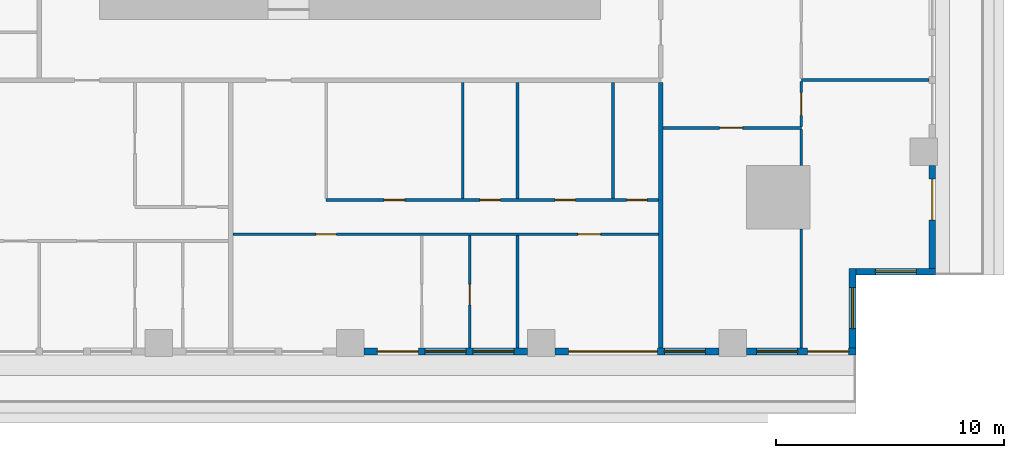
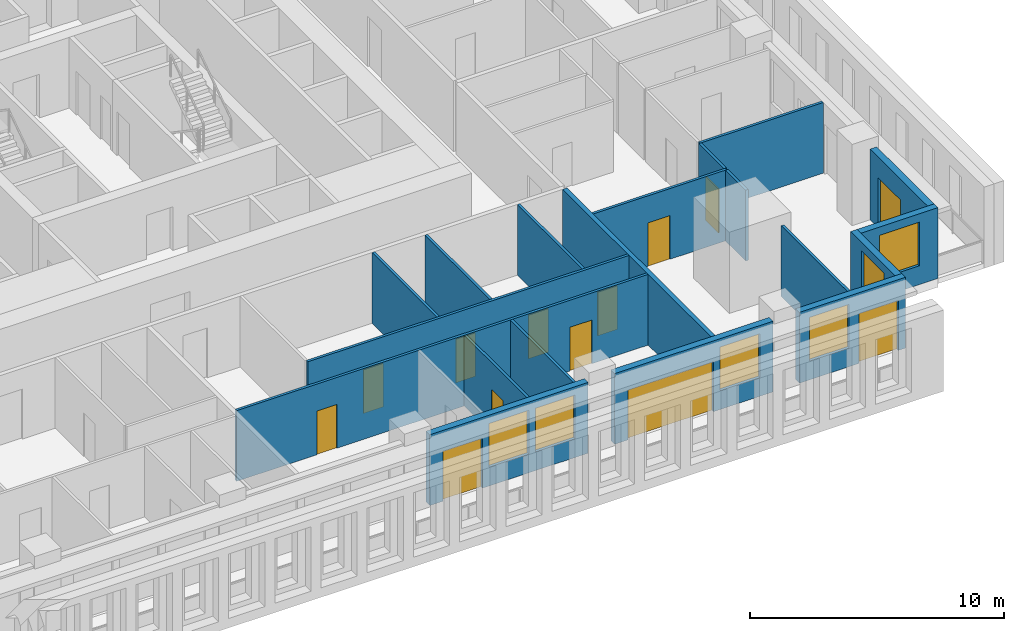
# One storey, part 4 of 14: 19 walls, 13 doors, 6 windows, 19 openings.
"""IFC4 building model written with IfcOpenShell, lengths in metres."""

from ifc_helpers import new_model, si_unit, direction, frame, frame_2d, origin, place, context, subcontext, project, spatial, rectangle, extrude, material, layer, layer_set, type_object, element, fill, save


model = new_model("IFC4")

# Units and contexts
model_context = context("Model", 3, precision=1e-05, world=origin(), true_north=direction((0.0, 1.0)))
body_context = subcontext(model_context, "Body", "Model", "MODEL_VIEW")
ifc_project = project(units=[si_unit("LENGTHUNIT", "METRE"), si_unit("AREAUNIT", "SQUARE_METRE"), si_unit("VOLUMEUNIT", "CUBIC_METRE"), si_unit("PLANEANGLEUNIT", "RADIAN"), si_unit("MASSUNIT", "GRAM", prefix="KILO")], contexts=[model_context])

# Site, building, storey
site_placement = place(None, origin())
site = spatial("IfcSite", under=ifc_project, at=site_placement, CompositionType="ELEMENT")
building_placement = place(site_placement, origin())
building = spatial("IfcBuilding", under=site, at=building_placement, Name="Khepri Terraces", CompositionType="ELEMENT")
storey_placement = place(building_placement, frame((0.0, 0.0, 122.10009765625)))
storey = spatial("IfcBuildingStorey", under=building, at=storey_placement, Name="L29", CompositionType="ELEMENT", Elevation=122.10009765625)

# Wall
ifc_material_1 = material(Name="Fire-rated gypsum plasterboard partition, mineral wool")
ifc_layer_1 = layer(ifc_material_1, 0.199951171875, Name="Fire-rated gypsum plasterboard partition, mineral wool")
ifc_layer_set_1 = layer_set([ifc_layer_1], Name="Fire-rated gypsum plasterboard partition, mineral wool")
wall_type_1 = type_object("IfcWallType", Name="WL-CORR-200", PredefinedType="PARTITIONING", material=ifc_layer_set_1)
wall_1_placement = place(storey_placement, frame((13.64990234375, -25.419921875, 0.0), z_axis=(0.0, 0.0, 1.0), x_axis=(0.0, 1.0, 0.0)))
element("IfcWall", 1, at=wall_1_placement, inside=storey, type_object=wall_type_1, Name="Partition P-008 L29", PredefinedType="PARTITIONING", context=body_context, shape_type="SweptSolid", body=[
    extrude(rectangle(XDim=11.669921875, YDim=0.199951171875, at=frame_2d((5.8349609375, 0.0))), origin(), (0.0, 0.0, 1.0), 3.39990234375),
])

# Wall, opening, window
ifc_material_2 = material(Name="Precast concrete C50/60 warm stone", Category="masonry")
ifc_layer_2 = layer(ifc_material_2, 0.300048828125, Name="Precast concrete C50/60 warm stone", Category="masonry")
ifc_layer_set_2 = layer_set([ifc_layer_2], Name="Precast concrete C50/60 warm stone")
wall_type_2 = type_object("IfcWallType", Name="WL-EXT-PRECAST-300", PredefinedType="STANDARD", material=ifc_layer_set_2)
wall_2_placement = place(storey_placement, frame((22.219970703125, -22.070068359375, 0.0), z_axis=(0.0, 0.0, 1.0), x_axis=(1.0, 0.0, 0.0)))
wall_2 = element("IfcWall", 2, at=wall_2_placement, inside=storey, type_object=wall_type_2, Name="External wall L29 S", PredefinedType="STANDARD", context=body_context, shape_type="SweptSolid", body=[
    extrude(rectangle(XDim=3.5, YDim=0.300048828125, at=frame_2d((1.75, 0.0))), origin(), (0.0, 0.0, 1.0), 3.39990234375),
])
opening_1_placement = place(wall_2_placement, frame((0.85009765625, 0.0, 0.89990234375)))
opening_1 = element("IfcOpeningElement", 3, at=opening_1_placement, cuts=wall_2, Name="Opening W1", PredefinedType="OPENING", context=body_context, shape_type="SweptSolid", body=[
    extrude(rectangle(XDim=1.800048828125, YDim=2.10009765625, at=frame_2d((0.89990234375, 1.050048828125))), frame((0.0, 0.16015625, 0.0), z_axis=(0.0, -1.0, 0.0), x_axis=(1.0, 0.0, 0.0)), (0.0, 0.0, 1.0), 0.320068359375),
])
ifc_material_3 = material(Name="Clear glass", Category="glass")
window_type = type_object("IfcWindowType", Name="WIN-RES-1800x2100", PartitioningType="SINGLE_PANEL", PredefinedType="WINDOW", material=ifc_material_3)
window_1_placement = place(opening_1_placement, origin())
window_1 = element("IfcWindow", 4, at=window_1_placement, inside=storey, type_object=window_type, Name="Window L29 S", OverallHeight=2.10009765625, OverallWidth=1.800048828125, PartitioningType="SINGLE_PANEL", PredefinedType="WINDOW", context=body_context, shape_type="SweptSolid", body=[
    extrude(rectangle(XDim=1.800048828125, YDim=2.10009765625, at=frame_2d((0.89990234375, 1.050048828125))), frame((0.0, 0.030029296875, 0.0), z_axis=(0.0, -1.0, 0.0), x_axis=(1.0, 0.0, 0.0)), (0.0, 0.0, 1.0), 0.06005859375),
])
fill(opening_1, window_1)

# Wall, opening, door
wall_3_placement = place(storey_placement, frame((25.570068359375, -21.919921875, 0.0), z_axis=(0.0, 0.0, 1.0), x_axis=(0.0, 1.0, 0.0)))
wall_3 = element("IfcWall", 5, at=wall_3_placement, inside=storey, type_object=wall_type_2, Name="External wall L29 E", PredefinedType="STANDARD", context=body_context, shape_type="SweptSolid", body=[
    extrude(rectangle(XDim=4.52001953125, YDim=0.300048828125, at=frame_2d((2.260009765625, 0.0))), origin(), (0.0, 0.0, 1.0), 3.39990234375),
])
opening_2_placement = place(wall_3_placement, frame((2.1201171875, 0.0, 0.0)))
opening_2 = element("IfcOpeningElement", 6, at=opening_2_placement, cuts=wall_3, Name="Opening ED-L29-01", PredefinedType="OPENING", context=body_context, shape_type="SweptSolid", body=[
    extrude(rectangle(XDim=1.800048828125, YDim=2.39990234375, at=frame_2d((0.89990234375, 1.199951171875))), frame((0.0, 0.16015625, 0.0), z_axis=(0.0, -1.0, 0.0), x_axis=(1.0, 0.0, 0.0)), (0.0, 0.0, 1.0), 0.320068359375),
])
ifc_material_4 = material(Name="Anodised aluminium bronze glazed door", Category="aluminium")
door_type_1 = type_object("IfcDoorType", Name="DR-BAL-SLIDE-1800x2400", OperationType="NOTDEFINED", PredefinedType="DOOR", material=ifc_material_4)
door_1_placement = place(opening_2_placement, origin())
door_1 = element("IfcDoor", 7, at=door_1_placement, inside=storey, type_object=door_type_1, Name="Balcony door L29 E", OperationType="SLIDING_TO_RIGHT", OverallHeight=2.39990234375, OverallWidth=1.800048828125, PredefinedType="DOOR", context=body_context, shape_type="SweptSolid", body=[
    extrude(rectangle(XDim=1.800048828125, YDim=2.39990234375, at=frame_2d((0.89990234375, 1.199951171875))), frame((0.0, 0.02490234375, 0.0), z_axis=(0.0, -1.0, 0.0), x_axis=(1.0, 0.0, 0.0)), (0.0, 0.0, 1.0), 0.050048828125),
])
fill(opening_2, door_1)

# Wall, openings, door, windows
wall_4_placement = place(storey_placement, frame((0.60009765625, -25.570068359375, 0.0), z_axis=(0.0, 0.0, 1.0), x_axis=(1.0, 0.0, 0.0)))
wall_4 = element("IfcWall", 8, at=wall_4_placement, inside=storey, type_object=wall_type_2, Name="External wall L29 S", PredefinedType="STANDARD", context=body_context, shape_type="SweptSolid", body=[
    extrude(rectangle(XDim=7.199951171875, YDim=0.300048828125, at=frame_2d((3.60009765625, 0.0))), origin(), (0.0, 0.0, 1.0), 3.39990234375),
])
opening_3_placement = place(wall_4_placement, frame((0.60009765625, 0.0, 0.0)))
opening_3 = element("IfcOpeningElement", 9, at=opening_3_placement, cuts=wall_4, Name="Opening ED-L29-22", PredefinedType="OPENING", context=body_context, shape_type="SweptSolid", body=[
    extrude(rectangle(XDim=1.800048828125, YDim=2.39990234375, at=frame_2d((0.89990234375, 1.199951171875))), frame((0.0, 0.16015625, 0.0), z_axis=(0.0, -1.0, 0.0), x_axis=(1.0, 0.0, 0.0)), (0.0, 0.0, 1.0), 0.320068359375),
])
opening_4_placement = place(wall_4_placement, frame((2.699951171875, 0.0, 0.89990234375)))
opening_4 = element("IfcOpeningElement", 10, at=opening_4_placement, cuts=wall_4, Name="Opening W1", PredefinedType="OPENING", context=body_context, shape_type="SweptSolid", body=[
    extrude(rectangle(XDim=1.800048828125, YDim=2.10009765625, at=frame_2d((0.89990234375, 1.050048828125))), frame((0.0, 0.16015625, 0.0), z_axis=(0.0, -1.0, 0.0), x_axis=(1.0, 0.0, 0.0)), (0.0, 0.0, 1.0), 0.320068359375),
])
opening_5_placement = place(wall_4_placement, frame((4.800048828125, 0.0, 0.89990234375)))
opening_5 = element("IfcOpeningElement", 11, at=opening_5_placement, cuts=wall_4, Name="Opening W1", PredefinedType="OPENING", context=body_context, shape_type="SweptSolid", body=[
    extrude(rectangle(XDim=1.800048828125, YDim=2.10009765625, at=frame_2d((0.89990234375, 1.050048828125))), frame((0.0, 0.16015625, 0.0), z_axis=(0.0, -1.0, 0.0), x_axis=(1.0, 0.0, 0.0)), (0.0, 0.0, 1.0), 0.320068359375),
])
door_2_placement = place(opening_3_placement, origin())
door_2 = element("IfcDoor", 12, at=door_2_placement, inside=storey, type_object=door_type_1, Name="Balcony door L29 S", OperationType="SLIDING_TO_LEFT", OverallHeight=2.39990234375, OverallWidth=1.800048828125, PredefinedType="DOOR", context=body_context, shape_type="SweptSolid", body=[
    extrude(rectangle(XDim=1.800048828125, YDim=2.39990234375, at=frame_2d((0.89990234375, 1.199951171875))), frame((0.0, 0.02490234375, 0.0), z_axis=(0.0, -1.0, 0.0), x_axis=(1.0, 0.0, 0.0)), (0.0, 0.0, 1.0), 0.050048828125),
])
fill(opening_3, door_2)
window_2_placement = place(opening_4_placement, origin())
window_2 = element("IfcWindow", 13, at=window_2_placement, inside=storey, type_object=window_type, Name="Window L29 S", OverallHeight=2.10009765625, OverallWidth=1.800048828125, PartitioningType="SINGLE_PANEL", PredefinedType="WINDOW", context=body_context, shape_type="SweptSolid", body=[
    extrude(rectangle(XDim=1.800048828125, YDim=2.10009765625, at=frame_2d((0.89990234375, 1.050048828125))), frame((0.0, 0.030029296875, 0.0), z_axis=(0.0, -1.0, 0.0), x_axis=(1.0, 0.0, 0.0)), (0.0, 0.0, 1.0), 0.06005859375),
])
fill(opening_4, window_2)
window_3_placement = place(opening_5_placement, origin())
window_3 = element("IfcWindow", 14, at=window_3_placement, inside=storey, type_object=window_type, Name="Window L29 S", OverallHeight=2.10009765625, OverallWidth=1.800048828125, PartitioningType="SINGLE_PANEL", PredefinedType="WINDOW", context=body_context, shape_type="SweptSolid", body=[
    extrude(rectangle(XDim=1.800048828125, YDim=2.10009765625, at=frame_2d((0.89990234375, 1.050048828125))), frame((0.0, 0.030029296875, 0.0), z_axis=(0.0, -1.0, 0.0), x_axis=(1.0, 0.0, 0.0)), (0.0, 0.0, 1.0), 0.06005859375),
])
fill(opening_5, window_3)

# Wall, openings, door, window
wall_5_placement = place(storey_placement, frame((9.0, -25.570068359375, 0.0), z_axis=(0.0, 0.0, 1.0), x_axis=(1.0, 0.0, 0.0)))
wall_5 = element("IfcWall", 15, at=wall_5_placement, inside=storey, type_object=wall_type_2, Name="External wall L29 S", PredefinedType="STANDARD", context=body_context, shape_type="SweptSolid", body=[
    extrude(rectangle(XDim=7.199951171875, YDim=0.300048828125, at=frame_2d((3.60009765625, 0.0))), origin(), (0.0, 0.0, 1.0), 3.39990234375),
])
opening_6_placement = place(wall_5_placement, frame((0.60009765625, 0.0, 0.0)))
opening_6 = element("IfcOpeningElement", 16, at=opening_6_placement, cuts=wall_5, Name="Opening ED-L29-23", PredefinedType="OPENING", context=body_context, shape_type="SweptSolid", body=[
    extrude(rectangle(XDim=3.89990234375, YDim=2.39990234375, at=frame_2d((1.949951171875, 1.199951171875))), frame((0.0, 0.16015625, 0.0), z_axis=(0.0, -1.0, 0.0), x_axis=(1.0, 0.0, 0.0)), (0.0, 0.0, 1.0), 0.320068359375),
])
opening_7_placement = place(wall_5_placement, frame((4.800048828125, 0.0, 0.89990234375)))
opening_7 = element("IfcOpeningElement", 17, at=opening_7_placement, cuts=wall_5, Name="Opening W1", PredefinedType="OPENING", context=body_context, shape_type="SweptSolid", body=[
    extrude(rectangle(XDim=1.800048828125, YDim=2.10009765625, at=frame_2d((0.89990234375, 1.050048828125))), frame((0.0, 0.16015625, 0.0), z_axis=(0.0, -1.0, 0.0), x_axis=(1.0, 0.0, 0.0)), (0.0, 0.0, 1.0), 0.320068359375),
])
door_type_2 = type_object("IfcDoorType", Name="DR-BAL-SLIDE-3900x2400", OperationType="NOTDEFINED", PredefinedType="DOOR", material=ifc_material_4)
door_3_placement = place(opening_6_placement, origin())
door_3 = element("IfcDoor", 18, at=door_3_placement, inside=storey, type_object=door_type_2, Name="Balcony door L29 S", OperationType="SLIDING_TO_LEFT", OverallHeight=2.39990234375, OverallWidth=3.89990234375, PredefinedType="DOOR", context=body_context, shape_type="SweptSolid", body=[
    extrude(rectangle(XDim=3.89990234375, YDim=2.39990234375, at=frame_2d((1.949951171875, 1.199951171875))), frame((0.0, 0.02490234375, 0.0), z_axis=(0.0, -1.0, 0.0), x_axis=(1.0, 0.0, 0.0)), (0.0, 0.0, 1.0), 0.050048828125),
])
fill(opening_6, door_3)
window_4_placement = place(opening_7_placement, origin())
window_4 = element("IfcWindow", 19, at=window_4_placement, inside=storey, type_object=window_type, Name="Window L29 S", OverallHeight=2.10009765625, OverallWidth=1.800048828125, PartitioningType="SINGLE_PANEL", PredefinedType="WINDOW", context=body_context, shape_type="SweptSolid", body=[
    extrude(rectangle(XDim=1.800048828125, YDim=2.10009765625, at=frame_2d((0.89990234375, 1.050048828125))), frame((0.0, 0.030029296875, 0.0), z_axis=(0.0, -1.0, 0.0), x_axis=(1.0, 0.0, 0.0)), (0.0, 0.0, 1.0), 0.06005859375),
])
fill(opening_7, window_4)

wall_6_placement = place(storey_placement, frame((17.39990234375, -25.570068359375, 0.0), z_axis=(0.0, 0.0, 1.0), x_axis=(1.0, 0.0, 0.0)))
wall_6 = element("IfcWall", 20, at=wall_6_placement, inside=storey, type_object=wall_type_2, Name="External wall L29 S", PredefinedType="STANDARD", context=body_context, shape_type="SweptSolid", body=[
    extrude(rectangle(XDim=4.820068359375, YDim=0.300048828125, at=frame_2d((2.41015625, 0.0))), origin(), (0.0, 0.0, 1.0), 3.39990234375),
])
opening_8_placement = place(wall_6_placement, frame((2.699951171875, 0.0, 0.0)))
opening_8 = element("IfcOpeningElement", 21, at=opening_8_placement, cuts=wall_6, Name="Opening ED-L29-24", PredefinedType="OPENING", context=body_context, shape_type="SweptSolid", body=[
    extrude(rectangle(XDim=1.800048828125, YDim=2.39990234375, at=frame_2d((0.89990234375, 1.199951171875))), frame((0.0, 0.16015625, 0.0), z_axis=(0.0, -1.0, 0.0), x_axis=(1.0, 0.0, 0.0)), (0.0, 0.0, 1.0), 0.320068359375),
])
opening_9_placement = place(wall_6_placement, frame((0.4599609375, 0.0, 0.89990234375)))
opening_9 = element("IfcOpeningElement", 22, at=opening_9_placement, cuts=wall_6, Name="Opening W1", PredefinedType="OPENING", context=body_context, shape_type="SweptSolid", body=[
    extrude(rectangle(XDim=1.800048828125, YDim=2.10009765625, at=frame_2d((0.89990234375, 1.050048828125))), frame((0.0, 0.16015625, 0.0), z_axis=(0.0, -1.0, 0.0), x_axis=(1.0, 0.0, 0.0)), (0.0, 0.0, 1.0), 0.320068359375),
])
door_4_placement = place(opening_8_placement, origin())
door_4 = element("IfcDoor", 23, at=door_4_placement, inside=storey, type_object=door_type_1, Name="Balcony door L29 S", OperationType="SLIDING_TO_LEFT", OverallHeight=2.39990234375, OverallWidth=1.800048828125, PredefinedType="DOOR", context=body_context, shape_type="SweptSolid", body=[
    extrude(rectangle(XDim=1.800048828125, YDim=2.39990234375, at=frame_2d((0.89990234375, 1.199951171875))), frame((0.0, 0.02490234375, 0.0), z_axis=(0.0, -1.0, 0.0), x_axis=(1.0, 0.0, 0.0)), (0.0, 0.0, 1.0), 0.050048828125),
])
fill(opening_8, door_4)
window_5_placement = place(opening_9_placement, origin())
window_5 = element("IfcWindow", 24, at=window_5_placement, inside=storey, type_object=window_type, Name="Window L29 S", OverallHeight=2.10009765625, OverallWidth=1.800048828125, PartitioningType="SINGLE_PANEL", PredefinedType="WINDOW", context=body_context, shape_type="SweptSolid", body=[
    extrude(rectangle(XDim=1.800048828125, YDim=2.10009765625, at=frame_2d((0.89990234375, 1.050048828125))), frame((0.0, 0.030029296875, 0.0), z_axis=(0.0, -1.0, 0.0), x_axis=(1.0, 0.0, 0.0)), (0.0, 0.0, 1.0), 0.06005859375),
])
fill(opening_9, window_5)

# Wall, opening, window
wall_7_placement = place(storey_placement, frame((22.070068359375, -25.419921875, 0.0), z_axis=(0.0, 0.0, 1.0), x_axis=(0.0, 1.0, 0.0)))
wall_7 = element("IfcWall", 25, at=wall_7_placement, inside=storey, type_object=wall_type_2, Name="External wall L29 E", PredefinedType="STANDARD", context=body_context, shape_type="SweptSolid", body=[
    extrude(rectangle(XDim=3.5, YDim=0.300048828125, at=frame_2d((1.75, 0.0))), origin(), (0.0, 0.0, 1.0), 3.39990234375),
])
opening_10_placement = place(wall_7_placement, frame((0.85009765625, 0.0, 0.89990234375)))
opening_10 = element("IfcOpeningElement", 26, at=opening_10_placement, cuts=wall_7, Name="Opening W1", PredefinedType="OPENING", context=body_context, shape_type="SweptSolid", body=[
    extrude(rectangle(XDim=1.800048828125, YDim=2.10009765625, at=frame_2d((0.89990234375, 1.050048828125))), frame((0.0, 0.16015625, 0.0), z_axis=(0.0, -1.0, 0.0), x_axis=(1.0, 0.0, 0.0)), (0.0, 0.0, 1.0), 0.320068359375),
])
window_6_placement = place(opening_10_placement, origin())
window_6 = element("IfcWindow", 27, at=window_6_placement, inside=storey, type_object=window_type, Name="Window L29 E", OverallHeight=2.10009765625, OverallWidth=1.800048828125, PartitioningType="SINGLE_PANEL", PredefinedType="WINDOW", context=body_context, shape_type="SweptSolid", body=[
    extrude(rectangle(XDim=1.800048828125, YDim=2.10009765625, at=frame_2d((0.89990234375, 1.050048828125))), frame((0.0, 0.030029296875, 0.0), z_axis=(0.0, -1.0, 0.0), x_axis=(1.0, 0.0, 0.0)), (0.0, 0.0, 1.0), 0.06005859375),
])
fill(opening_10, window_6)

# Wall, opening, door
ifc_material_5 = material(Name="Gypsum plasterboard partition")
ifc_layer_3 = layer(ifc_material_5, 0.1201171875, Name="Gypsum plasterboard partition")
ifc_layer_set_3 = layer_set([ifc_layer_3], Name="Gypsum plasterboard partition")
wall_type_3 = type_object("IfcWallType", Name="WL-PART-120", PredefinedType="PARTITIONING", material=ifc_layer_set_3)
wall_8_placement = place(storey_placement, frame((5.25, -25.419921875, 0.0), z_axis=(0.0, 0.0, 1.0), x_axis=(0.0, 1.0, 0.0)))
wall_8 = element("IfcWall", 28, at=wall_8_placement, inside=storey, type_object=wall_type_3, Name="Partition P-006 L29", PredefinedType="PARTITIONING", context=body_context, shape_type="SweptSolid", body=[
    extrude(rectangle(XDim=4.93994140625, YDim=0.1201171875, at=frame_2d((2.469970703125, 0.0))), origin(), (0.0, 0.0, 1.0), 3.39990234375),
])
opening_11_placement = place(wall_8_placement, frame((1.89990234375, 0.0, 0.0)))
opening_11 = element("IfcOpeningElement", 29, at=opening_11_placement, cuts=wall_8, Name="Opening D4", PredefinedType="OPENING", context=body_context, shape_type="SweptSolid", body=[
    extrude(rectangle(XDim=0.89990234375, YDim=2.10009765625, at=frame_2d((0.449951171875, 1.050048828125))), frame((0.0, 0.070068359375, 0.0), z_axis=(0.0, -1.0, 0.0), x_axis=(1.0, 0.0, 0.0)), (0.0, 0.0, 1.0), 0.14013671875),
])
ifc_material_6 = material(Name="Timber door leaf, moisture resistant", Category="wood")
door_type_3 = type_object("IfcDoorType", Name="DR-WET-900", OperationType="NOTDEFINED", PredefinedType="DOOR", material=ifc_material_6)
door_5_placement = place(opening_11_placement, frame((0.89990234375, 0.0, 0.0), z_axis=(0.0, 0.0, 1.0), x_axis=(-1.0, 0.0, 0.0)))
door_5 = element("IfcDoor", 30, at=door_5_placement, inside=storey, type_object=door_type_3, Name="Door Bathroom", OperationType="SINGLE_SWING_RIGHT", OverallHeight=2.10009765625, OverallWidth=0.89990234375, PredefinedType="DOOR", context=body_context, shape_type="SweptSolid", body=[
    extrude(rectangle(XDim=0.89990234375, YDim=2.10009765625, at=frame_2d((0.449951171875, 1.050048828125))), frame((0.0, 0.02490234375, 0.0), z_axis=(0.0, -1.0, 0.0), x_axis=(1.0, 0.0, 0.0)), (0.0, 0.0, 1.0), 0.050048828125),
])
fill(opening_11, door_5)

# Walls
wall_9_placement = place(storey_placement, frame((7.35009765625, -25.419921875, 0.0), z_axis=(0.0, 0.0, 1.0), x_axis=(0.0, 1.0, 0.0)))
element("IfcWall", 31, at=wall_9_placement, inside=storey, type_object=wall_type_3, Name="Partition P-007 L29", PredefinedType="PARTITIONING", context=body_context, shape_type="SweptSolid", body=[
    extrude(rectangle(XDim=4.93994140625, YDim=0.1201171875, at=frame_2d((2.469970703125, 0.0))), origin(), (0.0, 0.0, 1.0), 3.39990234375),
])
wall_10_placement = place(storey_placement, frame((19.820068359375, -25.419921875, 0.0), z_axis=(0.0, 0.0, 1.0), x_axis=(0.0, 1.0, 0.0)))
element("IfcWall", 32, at=wall_10_placement, inside=storey, type_object=wall_type_3, Name="Partition P-009 L29", PredefinedType="PARTITIONING", context=body_context, shape_type="SweptSolid", body=[
    extrude(rectangle(XDim=5.219970703125, YDim=0.1201171875, at=frame_2d((2.60986328125, 0.0))), origin(), (0.0, 0.0, 1.0), 3.39990234375),
])

# Wall, openings, doors
wall_11_placement = place(storey_placement, frame((-5.14990234375, -20.419921875, 0.0), z_axis=(0.0, 0.0, 1.0), x_axis=(1.0, 0.0, 0.0)))
wall_11 = element("IfcWall", 33, at=wall_11_placement, inside=storey, type_object=wall_type_3, Name="Partition P-012 L29", PredefinedType="PARTITIONING", context=body_context, shape_type="SweptSolid", body=[
    extrude(rectangle(XDim=18.699951171875, YDim=0.1201171875, at=frame_2d((9.35009765625, 0.0))), origin(), (0.0, 0.0, 1.0), 3.39990234375),
])
opening_12_placement = place(wall_11_placement, frame((3.64990234375, 0.0, 0.0)))
opening_12 = element("IfcOpeningElement", 34, at=opening_12_placement, cuts=wall_11, Name="Opening D3", PredefinedType="OPENING", context=body_context, shape_type="SweptSolid", body=[
    extrude(rectangle(XDim=0.89990234375, YDim=2.10009765625, at=frame_2d((0.449951171875, 1.050048828125))), frame((0.0, 0.070068359375, 0.0), z_axis=(0.0, -1.0, 0.0), x_axis=(1.0, 0.0, 0.0)), (0.0, 0.0, 1.0), 0.14013671875),
])
opening_13_placement = place(wall_11_placement, frame((15.14990234375, 0.0, 0.0)))
opening_13 = element("IfcOpeningElement", 35, at=opening_13_placement, cuts=wall_11, Name="Opening D2", PredefinedType="OPENING", context=body_context, shape_type="SweptSolid", body=[
    extrude(rectangle(XDim=1.0, YDim=2.10009765625, at=frame_2d((0.5, 1.050048828125))), frame((0.0, 0.070068359375, 0.0), z_axis=(0.0, -1.0, 0.0), x_axis=(1.0, 0.0, 0.0)), (0.0, 0.0, 1.0), 0.14013671875),
])
ifc_material_7 = material(Name="Timber door leaf, living room door", Category="wood")
door_type_4 = type_object("IfcDoorType", Name="DR-INT-1000", OperationType="NOTDEFINED", PredefinedType="DOOR", material=ifc_material_7)
door_6_placement = place(opening_13_placement, frame((1.0, 0.0, 0.0), z_axis=(0.0, 0.0, 1.0), x_axis=(-1.0, 0.0, 0.0)))
door_6 = element("IfcDoor", 36, at=door_6_placement, inside=storey, type_object=door_type_4, Name="Door Living Room", OperationType="SINGLE_SWING_LEFT", OverallHeight=2.10009765625, OverallWidth=1.0, PredefinedType="DOOR", context=body_context, shape_type="SweptSolid", body=[
    extrude(rectangle(XDim=1.0, YDim=2.10009765625, at=frame_2d((0.5, 1.050048828125))), frame((0.0, 0.02490234375, 0.0), z_axis=(0.0, -1.0, 0.0), x_axis=(1.0, 0.0, 0.0)), (0.0, 0.0, 1.0), 0.050048828125),
])
fill(opening_13, door_6)
ifc_material_8 = material(Name="Timber door leaf", Category="wood")
door_type_5 = type_object("IfcDoorType", Name="DR-INT-900", OperationType="NOTDEFINED", PredefinedType="DOOR", material=ifc_material_8)
door_7_placement = place(opening_12_placement, frame((0.89990234375, 0.0, 0.0), z_axis=(0.0, 0.0, 1.0), x_axis=(-1.0, 0.0, 0.0)))
door_7 = element("IfcDoor", 37, at=door_7_placement, inside=storey, type_object=door_type_5, Name="Door Master Bedroom", OperationType="SINGLE_SWING_RIGHT", OverallHeight=2.10009765625, OverallWidth=0.89990234375, PredefinedType="DOOR", context=body_context, shape_type="SweptSolid", body=[
    extrude(rectangle(XDim=0.89990234375, YDim=2.10009765625, at=frame_2d((0.449951171875, 1.050048828125))), frame((0.0, 0.02490234375, 0.0), z_axis=(0.0, -1.0, 0.0), x_axis=(1.0, 0.0, 0.0)), (0.0, 0.0, 1.0), 0.050048828125),
])
fill(opening_12, door_7)

wall_12_placement = place(storey_placement, frame((-1.050048828125, -18.919921875, 0.0), z_axis=(0.0, 0.0, 1.0), x_axis=(1.0, 0.0, 0.0)))
wall_12 = element("IfcWall", 38, at=wall_12_placement, inside=storey, type_object=wall_type_3, Name="Partition P-016 L29", PredefinedType="PARTITIONING", context=body_context, shape_type="SweptSolid", body=[
    extrude(rectangle(XDim=14.60009765625, YDim=0.1201171875, at=frame_2d((7.300048828125, 0.0))), origin(), (0.0, 0.0, 1.0), 3.39990234375),
])
opening_14_placement = place(wall_12_placement, frame((2.550048828125, 0.0, 0.0)))
opening_14 = element("IfcOpeningElement", 39, at=opening_14_placement, cuts=wall_12, Name="Opening D3", PredefinedType="OPENING", context=body_context, shape_type="SweptSolid", body=[
    extrude(rectangle(XDim=0.89990234375, YDim=2.10009765625, at=frame_2d((0.449951171875, 1.050048828125))), frame((0.0, 0.070068359375, 0.0), z_axis=(0.0, -1.0, 0.0), x_axis=(1.0, 0.0, 0.0)), (0.0, 0.0, 1.0), 0.14013671875),
])
opening_15_placement = place(wall_12_placement, frame((6.75, 0.0, 0.0)))
opening_15 = element("IfcOpeningElement", 40, at=opening_15_placement, cuts=wall_12, Name="Opening D4", PredefinedType="OPENING", context=body_context, shape_type="SweptSolid", body=[
    extrude(rectangle(XDim=0.89990234375, YDim=2.10009765625, at=frame_2d((0.449951171875, 1.050048828125))), frame((0.0, 0.070068359375, 0.0), z_axis=(0.0, -1.0, 0.0), x_axis=(1.0, 0.0, 0.0)), (0.0, 0.0, 1.0), 0.14013671875),
])
opening_16_placement = place(wall_12_placement, frame((10.050048828125, 0.0, 0.0)))
opening_16 = element("IfcOpeningElement", 41, at=opening_16_placement, cuts=wall_12, Name="Opening D3", PredefinedType="OPENING", context=body_context, shape_type="SweptSolid", body=[
    extrude(rectangle(XDim=0.89990234375, YDim=2.10009765625, at=frame_2d((0.449951171875, 1.050048828125))), frame((0.0, 0.070068359375, 0.0), z_axis=(0.0, -1.0, 0.0), x_axis=(1.0, 0.0, 0.0)), (0.0, 0.0, 1.0), 0.14013671875),
])
opening_17_placement = place(wall_12_placement, frame((13.199951171875, 0.0, 0.0)))
opening_17 = element("IfcOpeningElement", 42, at=opening_17_placement, cuts=wall_12, Name="Opening D3", PredefinedType="OPENING", context=body_context, shape_type="SweptSolid", body=[
    extrude(rectangle(XDim=0.89990234375, YDim=2.10009765625, at=frame_2d((0.449951171875, 1.050048828125))), frame((0.0, 0.070068359375, 0.0), z_axis=(0.0, -1.0, 0.0), x_axis=(1.0, 0.0, 0.0)), (0.0, 0.0, 1.0), 0.14013671875),
])
door_8_placement = place(opening_14_placement, origin())
door_8 = element("IfcDoor", 43, at=door_8_placement, inside=storey, type_object=door_type_5, Name="Door Kitchen", OperationType="SINGLE_SWING_LEFT", OverallHeight=2.10009765625, OverallWidth=0.89990234375, PredefinedType="DOOR", context=body_context, shape_type="SweptSolid", body=[
    extrude(rectangle(XDim=0.89990234375, YDim=2.10009765625, at=frame_2d((0.449951171875, 1.050048828125))), frame((0.0, 0.02490234375, 0.0), z_axis=(0.0, -1.0, 0.0), x_axis=(1.0, 0.0, 0.0)), (0.0, 0.0, 1.0), 0.050048828125),
])
fill(opening_14, door_8)
door_9_placement = place(opening_16_placement, origin())
door_9 = element("IfcDoor", 44, at=door_9_placement, inside=storey, type_object=door_type_5, Name="Door Utility Room", OperationType="SINGLE_SWING_RIGHT", OverallHeight=2.10009765625, OverallWidth=0.89990234375, PredefinedType="DOOR", context=body_context, shape_type="SweptSolid", body=[
    extrude(rectangle(XDim=0.89990234375, YDim=2.10009765625, at=frame_2d((0.449951171875, 1.050048828125))), frame((0.0, 0.02490234375, 0.0), z_axis=(0.0, -1.0, 0.0), x_axis=(1.0, 0.0, 0.0)), (0.0, 0.0, 1.0), 0.050048828125),
])
fill(opening_16, door_9)
door_10_placement = place(opening_17_placement, origin())
door_10 = element("IfcDoor", 45, at=door_10_placement, inside=storey, type_object=door_type_5, Name="Door Utility Room", OperationType="SINGLE_SWING_RIGHT", OverallHeight=2.10009765625, OverallWidth=0.89990234375, PredefinedType="DOOR", context=body_context, shape_type="SweptSolid", body=[
    extrude(rectangle(XDim=0.89990234375, YDim=2.10009765625, at=frame_2d((0.449951171875, 1.050048828125))), frame((0.0, 0.02490234375, 0.0), z_axis=(0.0, -1.0, 0.0), x_axis=(1.0, 0.0, 0.0)), (0.0, 0.0, 1.0), 0.050048828125),
])
fill(opening_17, door_10)
door_11_placement = place(opening_15_placement, origin())
door_11 = element("IfcDoor", 46, at=door_11_placement, inside=storey, type_object=door_type_3, Name="Door Guest Bathroom", OperationType="SINGLE_SWING_LEFT", OverallHeight=2.10009765625, OverallWidth=0.89990234375, PredefinedType="DOOR", context=body_context, shape_type="SweptSolid", body=[
    extrude(rectangle(XDim=0.89990234375, YDim=2.10009765625, at=frame_2d((0.449951171875, 1.050048828125))), frame((0.0, 0.02490234375, 0.0), z_axis=(0.0, -1.0, 0.0), x_axis=(1.0, 0.0, 0.0)), (0.0, 0.0, 1.0), 0.050048828125),
])
fill(opening_15, door_11)

# Walls
for number, where, z_axis, x_axis, name in (
    (47, (4.949951171875, -18.860107421875, 0.0), (0.0, 0.0, 1.0), (0.0, 1.0, 0.0), "Partition P-018 L29"),
    (48, (7.35009765625, -18.860107421875, 0.0), (0.0, 0.0, 1.0), (0.0, 1.0, 0.0), "Partition P-019 L29"),
    (49, (11.550048828125, -18.860107421875, 0.0), (0.0, 0.0, 1.0), (0.0, 1.0, 0.0), "Partition P-020 L29"),
):
    element("IfcWall", number, at=place(storey_placement, frame(where, z_axis=z_axis, x_axis=x_axis)), inside=storey, type_object=wall_type_3, Name=name, PredefinedType="PARTITIONING", context=body_context, shape_type="SweptSolid", body=[
        extrude(rectangle(XDim=5.110107421875, YDim=0.1201171875, at=frame_2d((2.55517578125, 0.0))), origin(), (0.0, 0.0, 1.0), 3.39990234375),
    ])
wall_13_placement = place(storey_placement, frame((19.820068359375, -17.39990234375, 0.0), z_axis=(0.0, 0.0, 1.0), x_axis=(0.0, 1.0, 0.0)))
element("IfcWall", 50, at=wall_13_placement, inside=storey, type_object=wall_type_3, Name="Partition P-021 L29", PredefinedType="PARTITIONING", context=body_context, shape_type="SweptSolid", body=[
    extrude(rectangle(XDim=1.58984375, YDim=0.1201171875, at=frame_2d((0.794921875, 0.0))), origin(), (0.0, 0.0, 1.0), 3.39990234375),
])

# Wall, opening, door
wall_14_placement = place(storey_placement, frame((13.75, -15.75, 0.0), z_axis=(0.0, 0.0, 1.0), x_axis=(1.0, 0.0, 0.0)))
wall_14 = element("IfcWall", 51, at=wall_14_placement, inside=storey, type_object=wall_type_3, Name="Partition P-022 L29", PredefinedType="PARTITIONING", context=body_context, shape_type="SweptSolid", body=[
    extrude(rectangle(XDim=6.070068359375, YDim=0.1201171875, at=frame_2d((3.03515625, 0.0))), origin(), (0.0, 0.0, 1.0), 3.39990234375),
])
opening_18_placement = place(wall_14_placement, frame((2.485107421875, 0.0, 0.0)))
opening_18 = element("IfcOpeningElement", 52, at=opening_18_placement, cuts=wall_14, Name="Opening D2", PredefinedType="OPENING", context=body_context, shape_type="SweptSolid", body=[
    extrude(rectangle(XDim=1.0, YDim=2.10009765625, at=frame_2d((0.5, 1.050048828125))), frame((0.0, 0.070068359375, 0.0), z_axis=(0.0, -1.0, 0.0), x_axis=(1.0, 0.0, 0.0)), (0.0, 0.0, 1.0), 0.14013671875),
])
door_12_placement = place(opening_18_placement, frame((1.0, 0.0, 0.0), z_axis=(0.0, 0.0, 1.0), x_axis=(-1.0, 0.0, 0.0)))
door_12 = element("IfcDoor", 53, at=door_12_placement, inside=storey, type_object=door_type_4, Name="Door Family Room", OperationType="SINGLE_SWING_RIGHT", OverallHeight=2.10009765625, OverallWidth=1.0, PredefinedType="DOOR", context=body_context, shape_type="SweptSolid", body=[
    extrude(rectangle(XDim=1.0, YDim=2.10009765625, at=frame_2d((0.5, 1.050048828125))), frame((0.0, 0.02490234375, 0.0), z_axis=(0.0, -1.0, 0.0), x_axis=(1.0, 0.0, 0.0)), (0.0, 0.0, 1.0), 0.050048828125),
])
fill(opening_18, door_12)

wall_15_placement = place(storey_placement, frame((19.820068359375, -15.68994140625, 0.0), z_axis=(0.0, 0.0, 1.0), x_axis=(0.0, 1.0, 0.0)))
wall_15 = element("IfcWall", 54, at=wall_15_placement, inside=storey, type_object=wall_type_3, Name="Partition P-023 L29", PredefinedType="PARTITIONING", context=body_context, shape_type="SweptSolid", body=[
    extrude(rectangle(XDim=1.97998046875, YDim=0.1201171875, at=frame_2d((0.989990234375, 0.0))), origin(), (0.0, 0.0, 1.0), 3.39990234375),
])
opening_19_placement = place(wall_15_placement, frame((0.489990234375, 0.0, 0.0)))
opening_19 = element("IfcOpeningElement", 55, at=opening_19_placement, cuts=wall_15, Name="Opening D2", PredefinedType="OPENING", context=body_context, shape_type="SweptSolid", body=[
    extrude(rectangle(XDim=1.0, YDim=2.10009765625, at=frame_2d((0.5, 1.050048828125))), frame((0.0, 0.070068359375, 0.0), z_axis=(0.0, -1.0, 0.0), x_axis=(1.0, 0.0, 0.0)), (0.0, 0.0, 1.0), 0.14013671875),
])
door_13_placement = place(opening_19_placement, frame((1.0, 0.0, 0.0), z_axis=(0.0, 0.0, 1.0), x_axis=(-1.0, 0.0, 0.0)))
door_13 = element("IfcDoor", 56, at=door_13_placement, inside=storey, type_object=door_type_4, Name="Door Living Room", OperationType="SINGLE_SWING_LEFT", OverallHeight=2.10009765625, OverallWidth=1.0, PredefinedType="DOOR", context=body_context, shape_type="SweptSolid", body=[
    extrude(rectangle(XDim=1.0, YDim=2.10009765625, at=frame_2d((0.5, 1.050048828125))), frame((0.0, 0.02490234375, 0.0), z_axis=(0.0, -1.0, 0.0), x_axis=(1.0, 0.0, 0.0)), (0.0, 0.0, 1.0), 0.050048828125),
])
fill(opening_19, door_13)

# Wall
wall_16_placement = place(storey_placement, frame((19.820068359375, -13.64990234375, 0.0), z_axis=(0.0, 0.0, 1.0), x_axis=(1.0, 0.0, 0.0)))
element("IfcWall", 57, at=wall_16_placement, inside=storey, type_object=wall_type_3, Name="Partition P-025 L29", PredefinedType="PARTITIONING", context=body_context, shape_type="SweptSolid", body=[
    extrude(rectangle(XDim=5.599853515625, YDim=0.1201171875, at=frame_2d((2.7998046875, 0.0))), origin(), (0.0, 0.0, 1.0), 3.39990234375),
])

save(model, "model.ifc")
